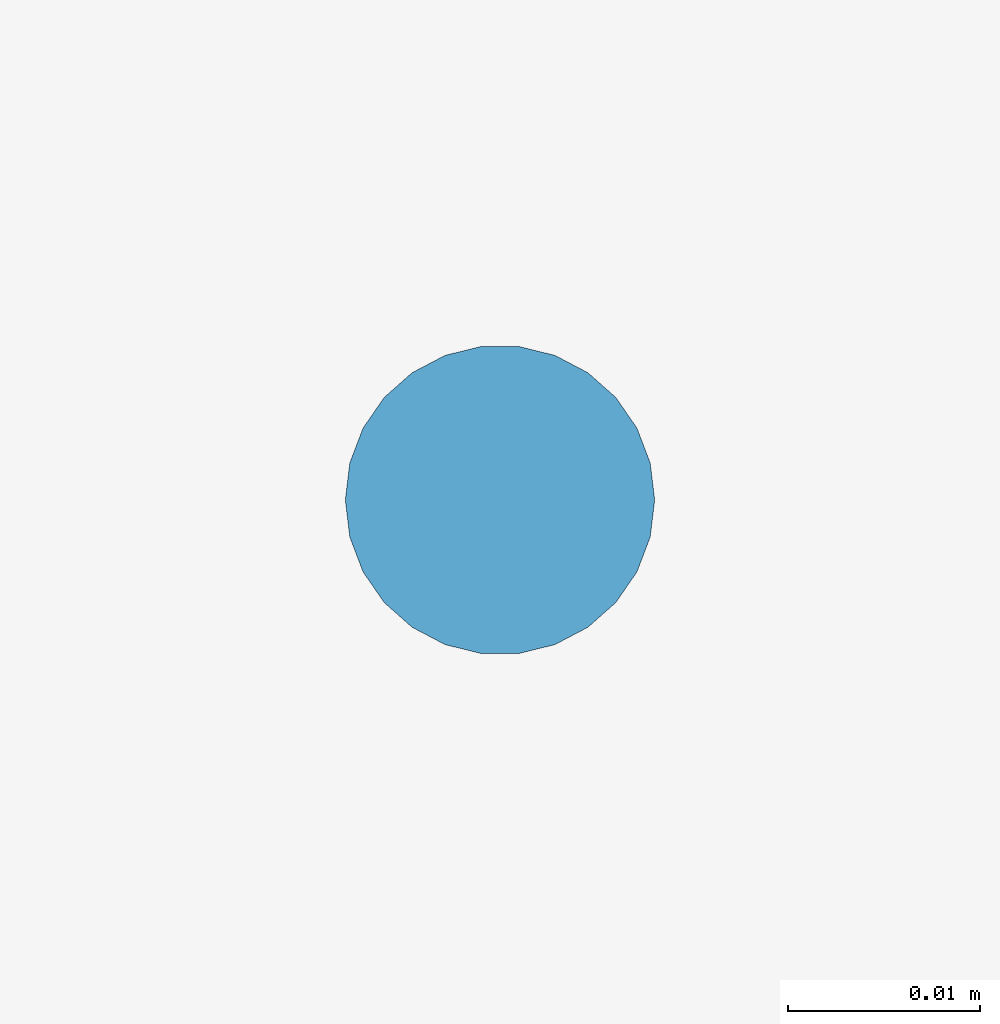
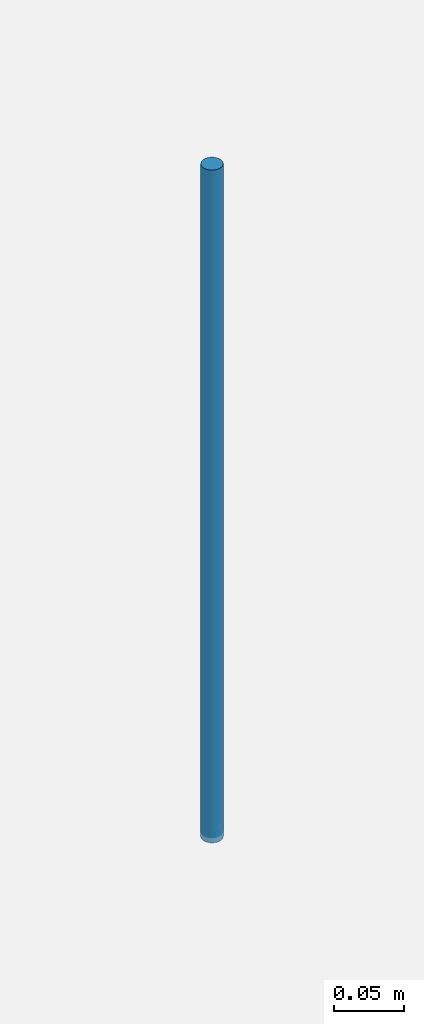
# One storey, part 68 of 75: 1 discrete accessory.
"""IFC4 building model written with IfcOpenShell, lengths in metres."""

from ifc_helpers import new_model, si_unit, direction, frame, origin, origin_2d, place, context, subcontext, project, spatial, circle, extrude, material, type_object, element, save


model = new_model("IFC4")

# Units and contexts
model_context = context("Model", 3, precision=1e-05, world=origin(), true_north=direction((0.0, 1.0)))
body_context = subcontext(model_context, "Body", "Model", "MODEL_VIEW")
ifc_project = project(units=[si_unit("LENGTHUNIT", "METRE"), si_unit("AREAUNIT", "SQUARE_METRE"), si_unit("VOLUMEUNIT", "CUBIC_METRE"), si_unit("PLANEANGLEUNIT", "RADIAN"), si_unit("MASSUNIT", "GRAM", prefix="KILO")], contexts=[model_context])

# Site, building, storey
site_placement = place(None, origin())
site = spatial("IfcSite", under=ifc_project, at=site_placement, CompositionType="ELEMENT")
building_placement = place(site_placement, origin())
building = spatial("IfcBuilding", under=site, at=building_placement, Name="Yukiwa Park Conservatory and Herbarium", CompositionType="ELEMENT")
storey_placement = place(building_placement, frame((0.0, 0.0, 4.800048828125)))
storey = spatial("IfcBuildingStorey", under=building, at=storey_placement, Name="L01", CompositionType="ELEMENT", Elevation=4.800048828125)

# Discrete accessory
ifc_material = material(Name="Steel Q235B", Category="steel")
discrete_accessory_type = type_object("IfcDiscreteAccessoryType", Name="ACC-CEILING-HANGER", PredefinedType="BRACKET", material=ifc_material)
discrete_accessory_placement = place(storey_placement, frame((61.39990234375, 55.89990234375, 3.375), z_axis=(0.0, 0.0, 1.0), x_axis=(1.0, 0.0, 0.0)))
element("IfcDiscreteAccessory", 1, at=discrete_accessory_placement, inside=storey, type_object=discrete_accessory_type, Name="Ceiling suspension hanger rod 13", PredefinedType="BRACKET", context=body_context, shape_type="SweptSolid", body=[
    extrude(circle(Radius=0.008056640625, at=origin_2d()), origin(), (0.0, 0.0, 1.0), 0.5849609375),
])

save(model, "model.ifc")
